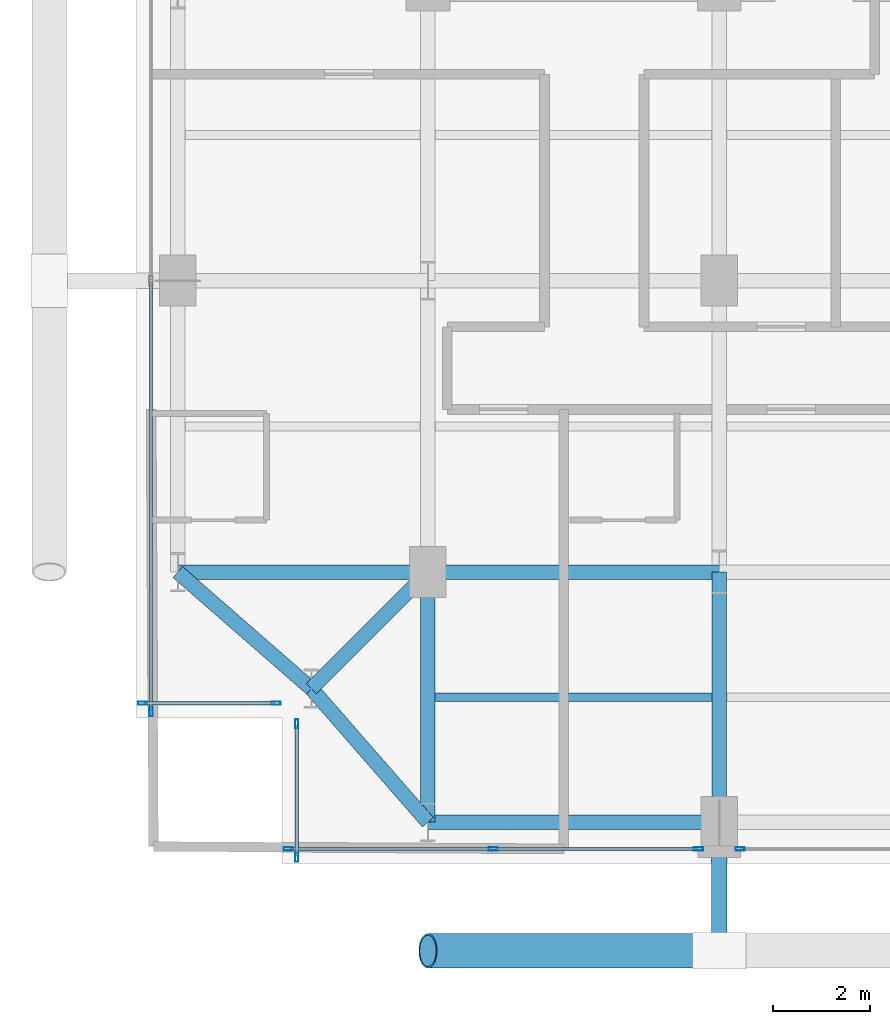
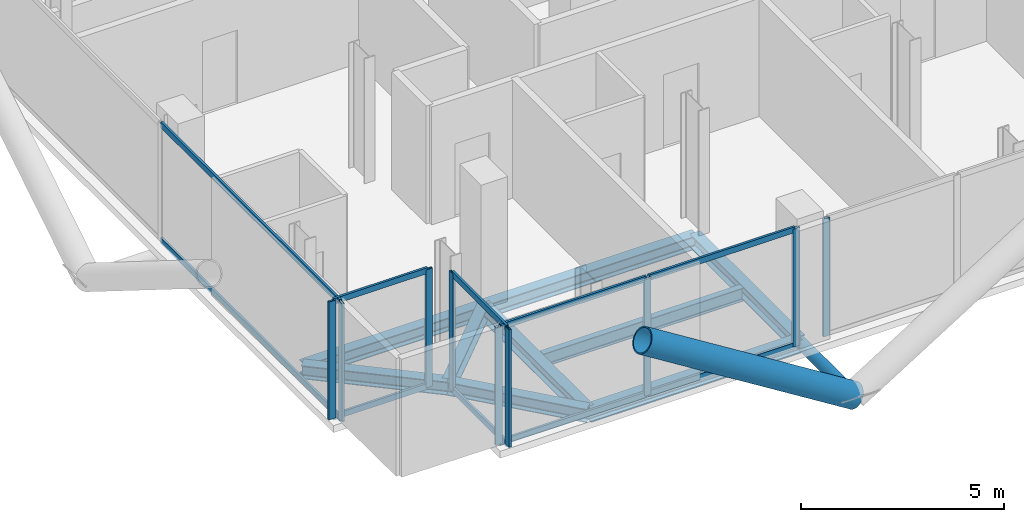
# One storey, part 2 of 28: 21 members, 9 beams, 5 elements without a shape of their own.
"""IFC4 building model written with IfcOpenShell, lengths in metres."""

from ifc_helpers import new_model, si_unit, direction, frame, origin, origin_2d, place, context, subcontext, project, spatial, hollow_rectangle, hollow_circle, i_section, extrude, material, layer, layer_set, material_profile, profile_set, type_object, element, aggregate, save


model = new_model("IFC4")

# Units and contexts
model_context = context("Model", 3, precision=1e-05, world=origin(), true_north=direction((0.0, 1.0)))
body_context = subcontext(model_context, "Body", "Model", "MODEL_VIEW")
ifc_project = project(units=[si_unit("LENGTHUNIT", "METRE"), si_unit("AREAUNIT", "SQUARE_METRE"), si_unit("VOLUMEUNIT", "CUBIC_METRE"), si_unit("PLANEANGLEUNIT", "RADIAN"), si_unit("MASSUNIT", "GRAM", prefix="KILO"), si_unit("THERMODYNAMICTEMPERATUREUNIT", "KELVIN"), si_unit("POWERUNIT", "WATT")], contexts=[model_context])

# Site, building, storey
site_placement = place(None, origin())
site = spatial("IfcSite", under=ifc_project, at=site_placement, CompositionType="ELEMENT")
building_placement = place(site_placement, origin())
building = spatial("IfcBuilding", under=site, at=building_placement, Name="Svarakhadi Broadcast Tower", CompositionType="ELEMENT")
storey_placement = place(building_placement, frame((0.0, 0.0, 169.199951171875)))
storey = spatial("IfcBuildingStorey", under=building, at=storey_placement, Name="L41", CompositionType="ELEMENT", Elevation=169.199951171875)

# Beam
ifc_material_1 = material(Name="Steel S355J2 (IS 2062 E350C)", Category="steel")
ifc_material_profile_1 = material_profile(ifc_material_1, i_section(OverallWidth=0.179931640625, OverallDepth=0.39990234375, WebThickness=0.008544921875, FlangeThickness=0.013427734375, FilletRadius=0.02099609375, at=origin_2d()), Name="NPB 400x180x66")
ifc_profile_set_1 = profile_set([ifc_material_profile_1], Name="Steel S355J2 (IS 2062 E350C)")
beam_type_1 = type_object("IfcBeamType", Name="Beam_NPB400", PredefinedType="BEAM", material=ifc_profile_set_1)
beam_1_placement = place(storey_placement, frame((6.159912109375, 3.425048828125, -0.409912109375), z_axis=(1.0, 0.0, 0.0), x_axis=(0.0, 1.0, 0.0)))
element("IfcBeam", 1, at=beam_1_placement, inside=storey, type_object=beam_type_1, Name="L41 Secondary Composite Beam SB006", PredefinedType="BEAM", context=body_context, shape_type="SweptSolid", body=[
    extrude(i_section(OverallWidth=0.179931640625, OverallDepth=0.39990234375, WebThickness=0.008544921875, FlangeThickness=0.013427734375, FilletRadius=0.02099609375, at=origin_2d()), origin(), (0.0, 0.0, 1.0), 5.68017578125),
])

# Curtain wall, members
ifc_material_2 = material(Name="Anodised Bronze Aluminium AA 6063-T6", Category="aluminium")
ifc_layer = layer(ifc_material_2, 0.18994140625)
ifc_layer_set = layer_set([ifc_layer], Name="Anodised Bronze Aluminium AA 6063-T6")
curtain_wall_type = type_object("IfcCurtainWallType", Name="CW_Sys_04", PredefinedType="NOTDEFINED", material=ifc_layer_set)
curtain_wall_1_placement = place(storey_placement, origin())
curtain_wall_1 = element("IfcCurtainWall", 2, at=curtain_wall_1_placement, inside=storey, type_object=curtain_wall_type, Name="L41 Unitised Facade Curtain Wall 01", PredefinedType="NOTDEFINED")
ifc_material_profile_2 = material_profile(ifc_material_2, hollow_rectangle(XDim=0.070068359375, YDim=0.18994140625, WallThickness=0.005615234375, at=origin_2d()), Name="ALU MULLION 190x70x6")
ifc_profile_set_2 = profile_set([ifc_material_profile_2], Name="Anodised Bronze Aluminium AA 6063-T6")
member_type_1 = type_object("IfcMemberType", Name="CW_Sys_04_Mul", PredefinedType="MULLION", material=ifc_profile_set_2)
member_1_placement = place(storey_placement, frame((2.875, 3.300048828125, 0.0), z_axis=(0.0, 0.0, 1.0), x_axis=(0.0, -1.0, 0.0)))
member_1 = element("IfcMember", 3, at=member_1_placement, type_object=member_type_1, Name="CW-04 mullion 1", PredefinedType="MULLION", context=body_context, shape_type="SweptSolid", body=[
    extrude(hollow_rectangle(XDim=0.070068359375, YDim=0.18994140625, WallThickness=0.005615234375, at=origin_2d()), origin(), (0.0, 0.0, 1.0), 3.5400390625),
])
member_2_placement = place(storey_placement, frame((0.125, 3.300048828125, 0.0), z_axis=(0.0, 0.0, 1.0), x_axis=(0.0, -1.0, 0.0)))
member_2 = element("IfcMember", 4, at=member_2_placement, type_object=member_type_1, Name="CW-04 mullion 2", PredefinedType="MULLION", context=body_context, shape_type="SweptSolid", body=[
    extrude(hollow_rectangle(XDim=0.070068359375, YDim=0.18994140625, WallThickness=0.005615234375, at=origin_2d()), origin(), (0.0, 0.0, 1.0), 3.5400390625),
])

# Curtain wall, member
curtain_wall_2_placement = place(storey_placement, origin())
curtain_wall_2 = element("IfcCurtainWall", 5, at=curtain_wall_2_placement, inside=storey, type_object=curtain_wall_type, Name="L41 West Curtain Wall 02", PredefinedType="NOTDEFINED")
member_3_placement = place(storey_placement, frame((0.300048828125, 3.125, 0.0), z_axis=(0.0, 0.0, 1.0), x_axis=(-1.0, 0.0, 0.0)))
member_3 = element("IfcMember", 6, at=member_3_placement, type_object=member_type_1, Name="CW-04 mullion 1", PredefinedType="MULLION", context=body_context, shape_type="SweptSolid", body=[
    extrude(hollow_rectangle(XDim=0.070068359375, YDim=0.18994140625, WallThickness=0.005615234375, at=origin_2d()), origin(), (0.0, 0.0, 1.0), 3.5400390625),
])

curtain_wall_3_placement = place(storey_placement, origin())
curtain_wall_3 = element("IfcCurtainWall", 7, at=curtain_wall_3_placement, inside=storey, type_object=curtain_wall_type, Name="L41 South Curtain Wall 15 Bay 2", PredefinedType="NOTDEFINED")
member_4_placement = place(storey_placement, frame((12.429931640625, 0.300048828125, 0.0), z_axis=(0.0, 0.0, 1.0), x_axis=(0.0, -1.0, 0.0)))
member_4 = element("IfcMember", 8, at=member_4_placement, type_object=member_type_1, Name="CW-04 mullion 4", PredefinedType="MULLION", context=body_context, shape_type="SweptSolid", body=[
    extrude(hollow_rectangle(XDim=0.070068359375, YDim=0.18994140625, WallThickness=0.005615234375, at=origin_2d()), origin(), (0.0, 0.0, 1.0), 3.5400390625),
])
aggregate(curtain_wall_3, [member_4])

# Curtain wall, members
curtain_wall_4_placement = place(storey_placement, origin())
curtain_wall_4 = element("IfcCurtainWall", 9, at=curtain_wall_4_placement, inside=storey, type_object=curtain_wall_type, Name="L41 South Curtain Wall 15 Bay 3", PredefinedType="NOTDEFINED")
member_5_placement = place(storey_placement, frame((11.570068359375, 0.300048828125, 0.0), z_axis=(0.0, 0.0, 1.0), x_axis=(0.0, -1.0, 0.0)))
member_5 = element("IfcMember", 10, at=member_5_placement, type_object=member_type_1, Name="CW-04 mullion 1", PredefinedType="MULLION", context=body_context, shape_type="SweptSolid", body=[
    extrude(hollow_rectangle(XDim=0.070068359375, YDim=0.18994140625, WallThickness=0.005615234375, at=origin_2d()), origin(), (0.0, 0.0, 1.0), 3.5400390625),
])
member_6_placement = place(storey_placement, frame((7.347412109375, 0.300048828125, 0.0), z_axis=(0.0, 0.0, 1.0), x_axis=(0.0, -1.0, 0.0)))
member_6 = element("IfcMember", 11, at=member_6_placement, type_object=member_type_1, Name="CW-04 mullion 2", PredefinedType="MULLION", context=body_context, shape_type="SweptSolid", body=[
    extrude(hollow_rectangle(XDim=0.070068359375, YDim=0.18994140625, WallThickness=0.005615234375, at=origin_2d()), origin(), (0.0, 0.0, 1.0), 3.5400390625),
])
member_7_placement = place(storey_placement, frame((3.125, 0.300048828125, 0.0), z_axis=(0.0, 0.0, 1.0), x_axis=(0.0, -1.0, 0.0)))
member_7 = element("IfcMember", 12, at=member_7_placement, type_object=member_type_1, Name="CW-04 mullion 3", PredefinedType="MULLION", context=body_context, shape_type="SweptSolid", body=[
    extrude(hollow_rectangle(XDim=0.070068359375, YDim=0.18994140625, WallThickness=0.005615234375, at=origin_2d()), origin(), (0.0, 0.0, 1.0), 3.5400390625),
])

curtain_wall_5_placement = place(storey_placement, origin())
curtain_wall_5 = element("IfcCurtainWall", 13, at=curtain_wall_5_placement, inside=storey, type_object=curtain_wall_type, Name="L41 Unitised Facade Curtain Wall 16", PredefinedType="NOTDEFINED")
member_8_placement = place(storey_placement, frame((3.300048828125, 0.125, 0.0), z_axis=(0.0, 0.0, 1.0), x_axis=(-1.0, 0.0, 0.0)))
member_8 = element("IfcMember", 14, at=member_8_placement, type_object=member_type_1, Name="CW-04 mullion 1", PredefinedType="MULLION", context=body_context, shape_type="SweptSolid", body=[
    extrude(hollow_rectangle(XDim=0.070068359375, YDim=0.18994140625, WallThickness=0.005615234375, at=origin_2d()), origin(), (0.0, 0.0, 1.0), 3.5400390625),
])
member_9_placement = place(storey_placement, frame((3.300048828125, 2.875, 0.0), z_axis=(0.0, 0.0, 1.0), x_axis=(-1.0, 0.0, 0.0)))
member_9 = element("IfcMember", 15, at=member_9_placement, type_object=member_type_1, Name="CW-04 mullion 2", PredefinedType="MULLION", context=body_context, shape_type="SweptSolid", body=[
    extrude(hollow_rectangle(XDim=0.070068359375, YDim=0.18994140625, WallThickness=0.005615234375, at=origin_2d()), origin(), (0.0, 0.0, 1.0), 3.5400390625),
])

# Member
ifc_material_profile_3 = material_profile(ifc_material_2, hollow_rectangle(XDim=0.06494140625, YDim=0.175048828125, WallThickness=0.0048828125, at=origin_2d()), Name="ALU TRANSOM 175x65x5")
ifc_profile_set_3 = profile_set([ifc_material_profile_3], Name="Anodised Bronze Aluminium AA 6063-T6")
member_type_2 = type_object("IfcMemberType", Name="CW_Sys_04_Trn", PredefinedType="USERDEFINED", material=ifc_profile_set_3)
member_10_placement = place(storey_placement, frame((2.840087890625, 3.300048828125, 0.032470703125), z_axis=(-1.0, 0.0, 0.0), x_axis=(0.0, -1.0, 0.0)))
member_10 = element("IfcMember", 16, at=member_10_placement, type_object=member_type_2, Name="CW-04 transom 1.1", ObjectType="TRANSOM", PredefinedType="USERDEFINED", context=body_context, shape_type="SweptSolid", body=[
    extrude(hollow_rectangle(XDim=0.06494140625, YDim=0.175048828125, WallThickness=0.0048828125, at=origin_2d()), origin(), (0.0, 0.0, 1.0), 2.68017578125),
])

member_11_placement = place(storey_placement, frame((2.840087890625, 3.300048828125, 3.507568359375), z_axis=(-1.0, 0.0, 0.0), x_axis=(0.0, -1.0, 0.0)))
member_11 = element("IfcMember", 17, at=member_11_placement, type_object=member_type_2, Name="CW-04 transom 1.2", ObjectType="TRANSOM", PredefinedType="USERDEFINED", context=body_context, shape_type="SweptSolid", body=[
    extrude(hollow_rectangle(XDim=0.06494140625, YDim=0.175048828125, WallThickness=0.0048828125, at=origin_2d()), origin(), (0.0, 0.0, 1.0), 2.68017578125),
])

aggregate(curtain_wall_1, [member_1, member_2, member_10, member_11])

member_12_placement = place(storey_placement, frame((0.300048828125, 3.159912109375, 0.032470703125), z_axis=(0.0, 1.0, 0.0), x_axis=(-1.0, 0.0, 0.0)))
member_12 = element("IfcMember", 18, at=member_12_placement, type_object=member_type_2, Name="CW-04 transom 1.1", ObjectType="TRANSOM", PredefinedType="USERDEFINED", context=body_context, shape_type="SweptSolid", body=[
    extrude(hollow_rectangle(XDim=0.06494140625, YDim=0.175048828125, WallThickness=0.0048828125, at=origin_2d()), origin(), (0.0, 0.0, 1.0), 8.80517578125),
])

member_13_placement = place(storey_placement, frame((0.300048828125, 3.159912109375, 3.507568359375), z_axis=(0.0, 1.0, 0.0), x_axis=(-1.0, 0.0, 0.0)))
member_13 = element("IfcMember", 19, at=member_13_placement, type_object=member_type_2, Name="CW-04 transom 1.2", ObjectType="TRANSOM", PredefinedType="USERDEFINED", context=body_context, shape_type="SweptSolid", body=[
    extrude(hollow_rectangle(XDim=0.06494140625, YDim=0.175048828125, WallThickness=0.0048828125, at=origin_2d()), origin(), (0.0, 0.0, 1.0), 8.80517578125),
])

aggregate(curtain_wall_2, [member_3, member_12, member_13])

member_14_placement = place(storey_placement, frame((11.534912109375, 0.300048828125, 0.032470703125), z_axis=(-1.0, 0.0, 0.0), x_axis=(0.0, -1.0, 0.0)))
member_14 = element("IfcMember", 20, at=member_14_placement, type_object=member_type_2, Name="CW-04 transom 1.1", ObjectType="TRANSOM", PredefinedType="USERDEFINED", context=body_context, shape_type="SweptSolid", body=[
    extrude(hollow_rectangle(XDim=0.06494140625, YDim=0.175048828125, WallThickness=0.0048828125, at=origin_2d()), origin(), (0.0, 0.0, 1.0), 4.15234375),
])

member_15_placement = place(storey_placement, frame((11.534912109375, 0.300048828125, 3.507568359375), z_axis=(-1.0, 0.0, 0.0), x_axis=(0.0, -1.0, 0.0)))
member_15 = element("IfcMember", 21, at=member_15_placement, type_object=member_type_2, Name="CW-04 transom 1.2", ObjectType="TRANSOM", PredefinedType="USERDEFINED", context=body_context, shape_type="SweptSolid", body=[
    extrude(hollow_rectangle(XDim=0.06494140625, YDim=0.175048828125, WallThickness=0.0048828125, at=origin_2d()), origin(), (0.0, 0.0, 1.0), 4.15234375),
])

member_16_placement = place(storey_placement, frame((7.3125, 0.300048828125, 0.032470703125), z_axis=(-1.0, 0.0, 0.0), x_axis=(0.0, -1.0, 0.0)))
member_16 = element("IfcMember", 22, at=member_16_placement, type_object=member_type_2, Name="CW-04 transom 2.1", ObjectType="TRANSOM", PredefinedType="USERDEFINED", context=body_context, shape_type="SweptSolid", body=[
    extrude(hollow_rectangle(XDim=0.06494140625, YDim=0.175048828125, WallThickness=0.0048828125, at=origin_2d()), origin(), (0.0, 0.0, 1.0), 4.152587890625),
])

member_17_placement = place(storey_placement, frame((7.3125, 0.300048828125, 3.507568359375), z_axis=(-1.0, 0.0, 0.0), x_axis=(0.0, -1.0, 0.0)))
member_17 = element("IfcMember", 23, at=member_17_placement, type_object=member_type_2, Name="CW-04 transom 2.2", ObjectType="TRANSOM", PredefinedType="USERDEFINED", context=body_context, shape_type="SweptSolid", body=[
    extrude(hollow_rectangle(XDim=0.06494140625, YDim=0.175048828125, WallThickness=0.0048828125, at=origin_2d()), origin(), (0.0, 0.0, 1.0), 4.152587890625),
])

aggregate(curtain_wall_4, [member_5, member_6, member_7, member_14, member_15, member_16, member_17])

member_18_placement = place(storey_placement, frame((3.300048828125, 0.159912109375, 0.032470703125), z_axis=(0.0, 1.0, 0.0), x_axis=(-1.0, 0.0, 0.0)))
member_18 = element("IfcMember", 24, at=member_18_placement, type_object=member_type_2, Name="CW-04 transom 1.1", ObjectType="TRANSOM", PredefinedType="USERDEFINED", context=body_context, shape_type="SweptSolid", body=[
    extrude(hollow_rectangle(XDim=0.06494140625, YDim=0.175048828125, WallThickness=0.0048828125, at=origin_2d()), origin(), (0.0, 0.0, 1.0), 2.68017578125),
])

member_19_placement = place(storey_placement, frame((3.300048828125, 0.159912109375, 3.507568359375), z_axis=(0.0, 1.0, 0.0), x_axis=(-1.0, 0.0, 0.0)))
member_19 = element("IfcMember", 25, at=member_19_placement, type_object=member_type_2, Name="CW-04 transom 1.2", ObjectType="TRANSOM", PredefinedType="USERDEFINED", context=body_context, shape_type="SweptSolid", body=[
    extrude(hollow_rectangle(XDim=0.06494140625, YDim=0.175048828125, WallThickness=0.0048828125, at=origin_2d()), origin(), (0.0, 0.0, 1.0), 2.68017578125),
])

aggregate(curtain_wall_5, [member_8, member_9, member_18, member_19])

# Members
ifc_material_3 = material(Name="Steel S460ML (IS 2062 E450BR)", Category="steel")
ifc_material_profile_4 = material_profile(ifc_material_3, hollow_circle(Radius=0.35546875, WallThickness=0.034912109375, at=origin_2d()), Name="CHS 711x35")
ifc_profile_set_4 = profile_set([ifc_material_profile_4], Name="Steel S460ML (IS 2062 E450BR)")
member_type_3 = type_object("IfcMemberType", Name="Exo_Brace_CHS711", PredefinedType="BRACE", material=ifc_profile_set_4)
member_20_placement = place(storey_placement, frame((12.0, -1.800048828125, -0.371826171875), z_axis=(-0.847998304005, 0.0, 0.529998940003), x_axis=(0.0, -1.0, 0.0)))
element("IfcMember", 26, at=member_20_placement, inside=storey, type_object=member_type_3, Name="L41 Exposed Bronze Exoskeleton Diagonal S01", PredefinedType="BRACE", context=body_context, shape_type="SweptSolid", body=[
    extrude(hollow_circle(Radius=0.35546875, WallThickness=0.034912109375, at=origin_2d()), origin(), (0.0, 0.0, 1.0), 7.075439453125),
])
ifc_material_profile_5 = material_profile(ifc_material_3, hollow_circle(Radius=0.161865234375, WallThickness=0.01611328125, at=origin_2d()), Name="CHS 323.9x16")
ifc_profile_set_5 = profile_set([ifc_material_profile_5], Name="Steel S460ML (IS 2062 E450BR)")
member_type_4 = type_object("IfcMemberType", Name="Exo_Radial_Strut_Z2", PredefinedType="STRUT", material=ifc_profile_set_5)
member_21_placement = place(storey_placement, frame((12.0, -1.800048828125, -0.371826171875), z_axis=(0.0, 1.0, 0.0), x_axis=(-1.0, 0.0, 0.0)))
element("IfcMember", 27, at=member_21_placement, inside=storey, type_object=member_type_4, Name="L41 Exoskeleton Radial Tie Strut S01", PredefinedType="STRUT", context=body_context, shape_type="SweptSolid", body=[
    extrude(hollow_circle(Radius=0.161865234375, WallThickness=0.01611328125, at=origin_2d()), origin(), (0.0, 0.0, 1.0), 2.650146484375),
])

# Beams
ifc_material_profile_6 = material_profile(ifc_material_1, i_section(OverallWidth=0.300048828125, OverallDepth=0.39990234375, WebThickness=0.013427734375, FlangeThickness=0.02392578125, FilletRadius=0.027099609375, at=origin_2d()), Name="WPB 400x300x155")
ifc_profile_set_6 = profile_set([ifc_material_profile_6], Name="Steel S355J2 (IS 2062 E350C)")
beam_type_2 = type_object("IfcBeamType", Name="Girder_WPB400", PredefinedType="USERDEFINED", material=ifc_profile_set_6)
beam_2_placement = place(storey_placement, frame((3.60009765625, 3.60009765625, -0.409912109375), z_axis=(0.707106781187, 0.707106781187, 0.0), x_axis=(-0.707106781187, 0.707106781187, 0.0)))
element("IfcBeam", 28, at=beam_2_placement, inside=storey, type_object=beam_type_2, Name="L41 Corner Tie Girder G001", ObjectType="GIRDER", PredefinedType="USERDEFINED", context=body_context, shape_type="SweptSolid", body=[
    extrude(i_section(OverallWidth=0.300048828125, OverallDepth=0.39990234375, WebThickness=0.013427734375, FlangeThickness=0.02392578125, FilletRadius=0.027099609375, at=origin_2d()), origin(), (0.0, 0.0, 1.0), 3.39404296875),
])
for number, where, z_axis, x_axis, name in (
    (29, (3.60009765625, 3.60009765625, -0.409912109375), (-0.753437912176, 0.657519058655, 0.0), (-0.657519058655, -0.753437912176, 0.0), "L41 Corner Tie Girder G002"),
    (30, (3.60009765625, 3.60009765625, -0.409912109375), (0.657519058655, -0.753437912176, 0.0), (0.753437912176, 0.657519058655, 0.0), "L41 Corner Tie Girder G003"),
):
    element("IfcBeam", number, at=place(storey_placement, frame(where, z_axis=z_axis, x_axis=x_axis)), inside=storey, type_object=beam_type_2, Name=name, ObjectType="GIRDER", PredefinedType="USERDEFINED", context=body_context, shape_type="SweptSolid", body=[
        extrude(i_section(OverallWidth=0.300048828125, OverallDepth=0.39990234375, WebThickness=0.013427734375, FlangeThickness=0.02392578125, FilletRadius=0.027099609375, at=origin_2d()), origin(), (0.0, 0.0, 1.0), 3.64990234375),
    ])
beam_3_placement = place(storey_placement, frame((6.0, 0.85009765625, -0.409912109375), z_axis=(1.0, 0.0, 0.0), x_axis=(0.0, 1.0, 0.0)))
element("IfcBeam", 31, at=beam_3_placement, inside=storey, type_object=beam_type_2, Name="L41 Primary E-W Girder G004", ObjectType="GIRDER", PredefinedType="USERDEFINED", context=body_context, shape_type="SweptSolid", body=[
    extrude(i_section(OverallWidth=0.300048828125, OverallDepth=0.39990234375, WebThickness=0.013427734375, FlangeThickness=0.02392578125, FilletRadius=0.027099609375, at=origin_2d()), origin(), (0.0, 0.0, 1.0), 6.0),
])
beam_4_placement = place(storey_placement, frame((0.85009765625, 6.0, -0.409912109375), z_axis=(1.0, 0.0, 0.0), x_axis=(0.0, 1.0, 0.0)))
element("IfcBeam", 32, at=beam_4_placement, inside=storey, type_object=beam_type_2, Name="L41 Primary E-W Girder G010", ObjectType="GIRDER", PredefinedType="USERDEFINED", context=body_context, shape_type="SweptSolid", body=[
    extrude(i_section(OverallWidth=0.300048828125, OverallDepth=0.39990234375, WebThickness=0.013427734375, FlangeThickness=0.02392578125, FilletRadius=0.027099609375, at=origin_2d()), origin(), (0.0, 0.0, 1.0), 5.14990234375),
])
beam_5_placement = place(storey_placement, frame((6.0, 6.0, -0.409912109375), z_axis=(1.0, 0.0, 0.0), x_axis=(0.0, 1.0, 0.0)))
element("IfcBeam", 33, at=beam_5_placement, inside=storey, type_object=beam_type_2, Name="L41 Primary E-W Girder G011", ObjectType="GIRDER", PredefinedType="USERDEFINED", context=body_context, shape_type="SweptSolid", body=[
    extrude(i_section(OverallWidth=0.300048828125, OverallDepth=0.39990234375, WebThickness=0.013427734375, FlangeThickness=0.02392578125, FilletRadius=0.027099609375, at=origin_2d()), origin(), (0.0, 0.0, 1.0), 6.0),
])
for number, where, z_axis, x_axis, name in (
    (34, (6.0, 0.85009765625, -0.409912109375), (0.0, 1.0, 0.0), (-1.0, 0.0, 0.0), "L41 Primary N-S Girder G040"),
    (35, (12.0, 0.85009765625, -0.409912109375), (0.0, 1.0, 0.0), (-1.0, 0.0, 0.0), "L41 Primary N-S Girder G045"),
):
    element("IfcBeam", number, at=place(storey_placement, frame(where, z_axis=z_axis, x_axis=x_axis)), inside=storey, type_object=beam_type_2, Name=name, ObjectType="GIRDER", PredefinedType="USERDEFINED", context=body_context, shape_type="SweptSolid", body=[
        extrude(i_section(OverallWidth=0.300048828125, OverallDepth=0.39990234375, WebThickness=0.013427734375, FlangeThickness=0.02392578125, FilletRadius=0.027099609375, at=origin_2d()), origin(), (0.0, 0.0, 1.0), 5.14990234375),
    ])

save(model, "model.ifc")
